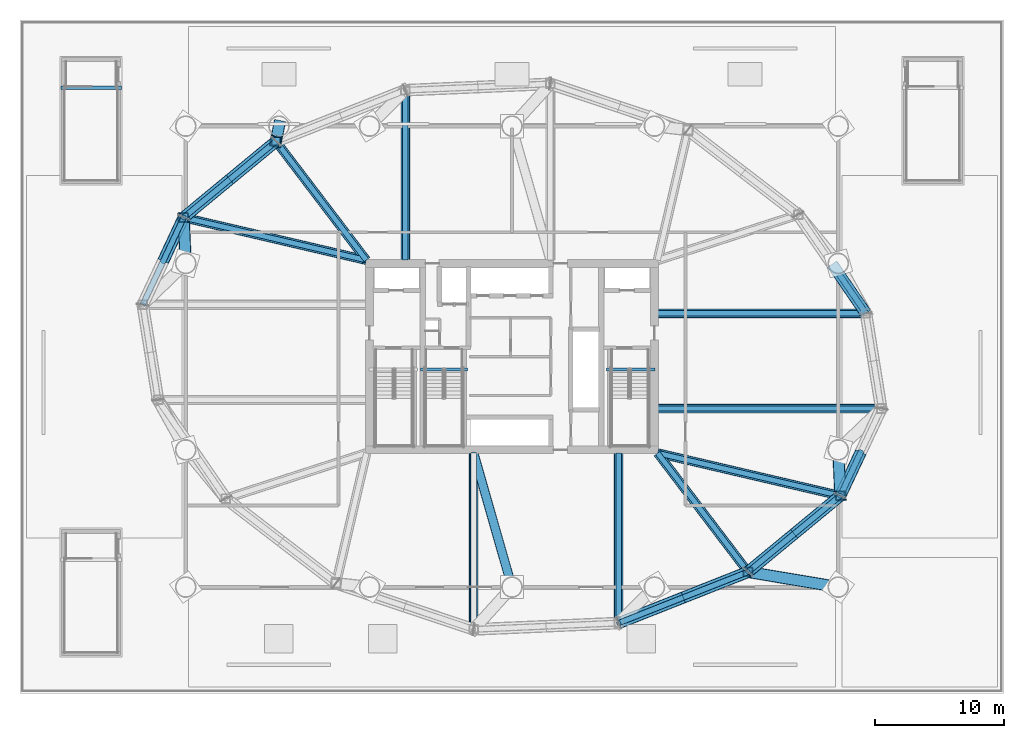
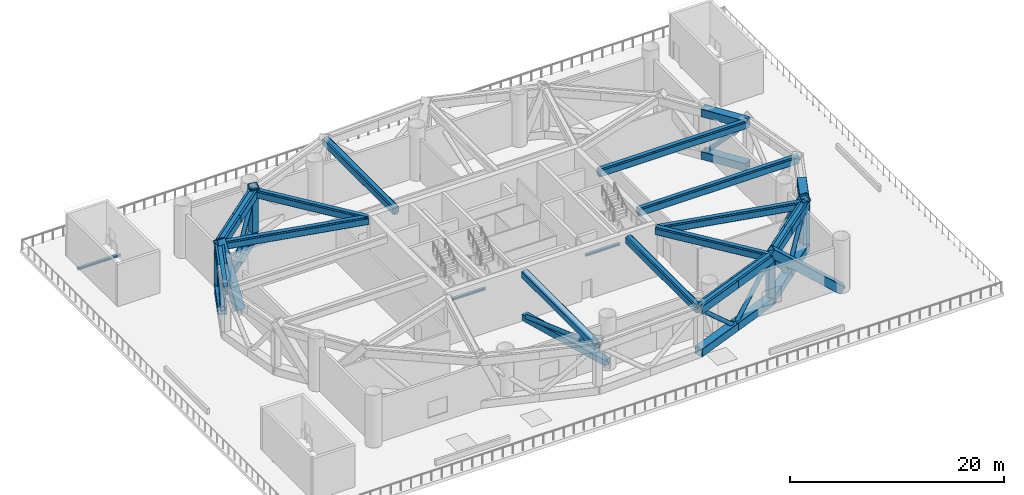
# One storey, part 2 of 14: 46 members, 15 beams.
"""IFC4 building model written with IfcOpenShell, lengths in metres."""

import ifcopenshell
import ifcopenshell.guid

model = None  # the IFC model being written
_history = None  # IfcOwnerHistory: only IFC2X3 demands one
_inside = {}  # id of a spatial element -> (the spatial element, [elements in it])
_under = {}  # id of a project, library or spatial element -> (it, [spatial elements below it])
_declared = {}  # id of a project -> (the project, [libraries it declares])
_typed = {}  # id of a type object -> (the type object, [elements of that type])
_made_of = {}  # id of a material, layer set ... -> (it, [elements and type objects made of it])


def new_model(schema):
    """Start an empty IFC model of exactly this schema.

    Asked for "IFC4X3", IfcOpenShell would pick the latest addendum, in which some entities
    have other attributes; the version numbers below select the first issue.
    IFC2X3 requires an IfcOwnerHistory on every rooted entity: one is made here for all.
    """
    global model, _history
    if schema == "IFC4X3":
        model = ifcopenshell.file(schema_version=(4, 3, 0, 0))
    else:
        model = ifcopenshell.file(schema=schema)
    _inside.clear()
    _under.clear()
    _declared.clear()
    _typed.clear()
    _made_of.clear()
    _history = None
    if model.schema == "IFC2X3":
        org = make("IfcOrganization", Name="unknown")
        user = make(
            "IfcPersonAndOrganization",
            ThePerson=make("IfcPerson", FamilyName="unknown"),
            TheOrganization=org,
        )
        app = make(
            "IfcApplication",
            ApplicationDeveloper=org,
            Version="unknown",
            ApplicationFullName="unknown",
            ApplicationIdentifier="unknown",
        )
        _history = make(
            "IfcOwnerHistory",
            OwningUser=user,
            OwningApplication=app,
            ChangeAction="ADDED",
            CreationDate=0,
        )
    return model


def make(cls, **values):
    """One entity of the class cls with the attributes given. An attribute that is None is left unset."""
    return model.create_entity(
        cls, **{name: value for name, value in values.items() if value is not None}
    )


def rooted(cls, **values):
    """An entity with a GlobalId (a new one), such as an element, a storey or a relation."""
    return make(cls, GlobalId=ifcopenshell.guid.new(), OwnerHistory=_history, **values)


def si_unit(unit_type, name, prefix=None):
    """IfcSIUnit, for example si_unit("LENGTHUNIT", "METRE", prefix="MILLI")."""
    return make("IfcSIUnit", UnitType=unit_type, Prefix=prefix, Name=name)


def assignment(units):
    """IfcUnitAssignment: the units of a project."""
    return None if units is None else make("IfcUnitAssignment", Units=units)


def point(xyz):
    """IfcCartesianPoint."""
    return None if xyz is None else make("IfcCartesianPoint", Coordinates=xyz)


def direction(xyz):
    """IfcDirection."""
    return None if xyz is None else make("IfcDirection", DirectionRatios=xyz)


def frame(location, z_axis=None, x_axis=None):
    """IfcAxis2Placement3D, a coordinate frame: its origin and axes. An axis left out is left unset."""
    return make(
        "IfcAxis2Placement3D",
        Location=point(location),
        Axis=direction(z_axis),
        RefDirection=direction(x_axis),
    )


def frame_2d(location, x_axis=None):
    """IfcAxis2Placement2D, a coordinate frame in the plane: its origin and x axis."""
    return make(
        "IfcAxis2Placement2D", Location=point(location), RefDirection=direction(x_axis)
    )


def origin():
    """The frame at (0, 0, 0) with its axes left unset."""
    return frame((0.0, 0.0, 0.0))


def origin_2d():
    """The frame at (0, 0) in the plane with its x axis left unset."""
    return frame_2d((0.0, 0.0))


def place(relative_to, where):
    """IfcLocalPlacement: puts the frame where relative to a parent placement (None: the world)."""
    return make(
        "IfcLocalPlacement", PlacementRelTo=relative_to, RelativePlacement=where
    )


def context(
    kind, dimensions, precision=None, world=None, true_north=None, identifier=None
):
    """IfcGeometricRepresentationContext, for example the 3D "Model" context."""
    return make(
        "IfcGeometricRepresentationContext",
        ContextIdentifier=identifier,
        ContextType=kind,
        CoordinateSpaceDimension=dimensions,
        Precision=precision,
        WorldCoordinateSystem=world,
        TrueNorth=true_north,
    )


def subcontext(parent, identifier, kind, view, scale=None):
    """IfcGeometricRepresentationSubContext, for example "Body" below "Model"."""
    return make(
        "IfcGeometricRepresentationSubContext",
        ContextIdentifier=identifier,
        ContextType=kind,
        ParentContext=parent,
        TargetScale=scale,
        TargetView=view,
    )


def project(units=None, contexts=None):
    """IfcProject with its units and contexts."""
    return rooted(
        "IfcProject",
        Name="project",
        RepresentationContexts=contexts,
        UnitsInContext=assignment(units),
    )


def spatial(cls, under=None, at=None, **own):
    """A site, building, storey or space (cls), placed at a placement, below another one or the project."""
    s = rooted(cls, ObjectPlacement=at, **own)
    if under is not None:
        _under.setdefault(under.id(), (under, []))[1].append(s)
    return s


def profile(cls, at=None, kind="AREA", **sizes):
    """A parametric profile (cls). Its sizes go by their IFC names, for example OverallWidth=200.0."""
    return make(cls, ProfileType=kind, Position=at, **sizes)


def hollow_rectangle(**sizes):
    """IfcRectangleHollowProfileDef."""
    return profile("IfcRectangleHollowProfileDef", **sizes)


def hollow_circle(**sizes):
    """IfcCircleHollowProfileDef."""
    return profile("IfcCircleHollowProfileDef", **sizes)


def i_section(**sizes):
    """IfcIShapeProfileDef."""
    return profile("IfcIShapeProfileDef", **sizes)


def extrude(swept, where, along, depth):
    """IfcExtrudedAreaSolid: the profile swept, set in the frame where, extruded along a direction by depth."""
    return make(
        "IfcExtrudedAreaSolid",
        SweptArea=swept,
        Position=where,
        ExtrudedDirection=direction(along),
        Depth=depth,
    )


def shape(context_of_items, identifier, shape_type, items):
    """IfcShapeRepresentation: the items that make up one representation, for example the "Body"."""
    return make(
        "IfcShapeRepresentation",
        ContextOfItems=context_of_items,
        RepresentationIdentifier=identifier,
        RepresentationType=shape_type,
        Items=items,
    )


def material(Name=None, Category=None):
    """IfcMaterial."""
    return make("IfcMaterial", Name=Name, Category=Category)


def material_profile(
    of_material, cross_section, Name=None, Category=None, Priority=None
):
    """IfcMaterialProfile: a cross section and its material."""
    return make(
        "IfcMaterialProfile",
        Name=Name,
        Material=of_material,
        Profile=cross_section,
        Priority=Priority,
        Category=Category,
    )


def profile_set(profiles, Name=None, composite=None):
    """IfcMaterialProfileSet."""
    return make(
        "IfcMaterialProfileSet",
        Name=Name,
        MaterialProfiles=profiles,
        CompositeProfile=composite,
    )


def made_of(thing, what):
    """Note that an element or type object is made of a material, layer set ...; save() writes the relation."""
    if what is not None:
        _made_of.setdefault(what.id(), (what, []))[1].append(thing)
    return thing


def type_object(cls, material=None, **own):
    """A type object (cls), such as IfcWallType, which elements share."""
    return made_of(rooted(cls, **own), material)


def element(
    cls,
    number,
    at=None,
    inside=None,
    cuts=None,
    type_object=None,
    material=None,
    context=None,
    identifier="Body",
    shape_type=None,
    held_by="IfcProductDefinitionShape",
    body=None,
    shapes=None,
    **own,
):
    """One element of the class cls, such as IfcWall. Its Tag is "e" and its number.

    at: its placement. inside: the storey or other place that contains it. cuts: it is an
    opening in that element (IfcRelVoidsElement). A single representation is given by context,
    identifier, shape_type and body (its items); several are given by shapes. held_by: the class
    of the entity that holds the representations. save() writes the other relations.
    """
    e = rooted(cls, Tag="e%d" % number, ObjectPlacement=at, **own)
    if body is not None:
        shapes = [shape(context, identifier, shape_type, body)]
    if shapes is not None:
        e.Representation = make(held_by, Representations=shapes)
    if inside is not None:
        _inside.setdefault(inside.id(), (inside, []))[1].append(e)
    if cuts is not None:
        rooted(
            "IfcRelVoidsElement", RelatingBuildingElement=cuts, RelatedOpeningElement=e
        )
    if type_object is not None:
        _typed.setdefault(type_object.id(), (type_object, []))[1].append(e)
    return made_of(e, material)


def aggregate(whole, parts):
    """IfcRelAggregates: a whole, such as a stair, and the parts it consists of."""
    return rooted("IfcRelAggregates", RelatingObject=whole, RelatedObjects=parts)


def save(model, path):
    """Write the relations noted so far, then the file.

    IfcRelAggregates (storeys below a building ...), IfcRelContainedInSpatialStructure (elements
    in a storey), IfcRelDefinesByType, IfcRelAssociatesMaterial and IfcRelDeclares: one each for
    every whole, place, type object, material and project.
    """
    for whole, parts in _under.values():
        aggregate(whole, parts)
    for where, things in _inside.values():
        rooted(
            "IfcRelContainedInSpatialStructure",
            RelatedElements=things,
            RelatingStructure=where,
        )
    for kind, things in _typed.values():
        rooted("IfcRelDefinesByType", RelatedObjects=things, RelatingType=kind)
    for what, things in _made_of.values():
        rooted("IfcRelAssociatesMaterial", RelatedObjects=things, RelatingMaterial=what)
    for by, libraries in _declared.values():
        rooted("IfcRelDeclares", RelatingContext=by, RelatedDefinitions=libraries)
    model.write(path)


model = new_model("IFC4")

# Units and contexts
model_context = context("Model", 3, precision=1e-05, world=origin(), true_north=direction((0.0, 1.0)))
body_context = subcontext(model_context, "Body", "Model", "MODEL_VIEW")
ifc_project = project(units=[si_unit("LENGTHUNIT", "METRE"), si_unit("AREAUNIT", "SQUARE_METRE"), si_unit("VOLUMEUNIT", "CUBIC_METRE"), si_unit("PLANEANGLEUNIT", "RADIAN"), si_unit("MASSUNIT", "GRAM", prefix="KILO")], contexts=[model_context])

# Site, building, storey
site_placement = place(None, origin())
site = spatial("IfcSite", under=ifc_project, at=site_placement, CompositionType="ELEMENT")
building_placement = place(site_placement, origin())
building = spatial("IfcBuilding", under=site, at=building_placement, Name="Bramvorn Convention Spire", CompositionType="ELEMENT")
storey_placement = place(building_placement, frame((0.0, 0.0, 35.39990234375)))
storey = spatial("IfcBuildingStorey", under=building, at=storey_placement, Name="L06", CompositionType="ELEMENT", Elevation=35.39990234375)

# Beams
ifc_material = material(Name="Steel CSA G40.21 Grade 350 (350W)", Category="steel")
ifc_material_profile_1 = material_profile(ifc_material, i_section(OverallWidth=0.25390625, OverallDepth=0.2529296875, WebThickness=0.008544921875, FlangeThickness=0.01416015625, FilletRadius=0.011962890625, at=origin_2d()))
ifc_profile_set_1 = profile_set([ifc_material_profile_1], Name="Steel CSA G40.21 Grade 350 (350W) - W250X73")
beam_type_1 = type_object("IfcBeamType", Name="BM-W250X73", PredefinedType="BEAM", material=ifc_profile_set_1)
beam_1_placement = place(storey_placement, frame((45.31005859375, 25.010009765625, -0.12646484375), z_axis=(1.0, 0.0, 0.0), x_axis=(0.0, 1.0, 0.0)))
element("IfcBeam", 1, at=beam_1_placement, inside=storey, type_object=beam_type_1, Name="L06 ST2 stair arrival header beam", PredefinedType="BEAM", context=body_context, shape_type="SweptSolid", body=[
    extrude(i_section(OverallWidth=0.25390625, OverallDepth=0.2529296875, WebThickness=0.008544921875, FlangeThickness=0.01416015625, FilletRadius=0.011962890625, at=origin_2d()), origin(), (0.0, 0.0, 1.0), 3.739990234375),
])
beam_2_placement = place(storey_placement, frame((30.949951171875, 25.010009765625, -0.12646484375), z_axis=(1.0, 0.0, 0.0), x_axis=(0.0, 1.0, 0.0)))
element("IfcBeam", 2, at=beam_2_placement, inside=storey, type_object=beam_type_1, Name="L06 ST3 stair arrival header beam", PredefinedType="BEAM", context=body_context, shape_type="SweptSolid", body=[
    extrude(i_section(OverallWidth=0.25390625, OverallDepth=0.2529296875, WebThickness=0.008544921875, FlangeThickness=0.01416015625, FilletRadius=0.011962890625, at=origin_2d()), origin(), (0.0, 0.0, 1.0), 3.610107421875),
])
beam_3_placement = place(storey_placement, frame((3.14990234375, 46.760009765625, -0.12646484375), z_axis=(1.0, 0.0, 0.0), x_axis=(0.0, 1.0, 0.0)))
element("IfcBeam", 3, at=beam_3_placement, inside=storey, type_object=beam_type_1, Name="L06 ST6 stair arrival header beam", PredefinedType="BEAM", context=body_context, shape_type="SweptSolid", body=[
    extrude(i_section(OverallWidth=0.25390625, OverallDepth=0.2529296875, WebThickness=0.008544921875, FlangeThickness=0.01416015625, FilletRadius=0.011962890625, at=origin_2d()), origin(), (0.0, 0.0, 1.0), 4.68017578125),
])
ifc_material_profile_2 = material_profile(ifc_material, i_section(OverallWidth=0.41796875, OverallDepth=0.912109375, WebThickness=0.019287109375, FlangeThickness=0.031982421875, FilletRadius=0.02392578125, at=origin_2d()))
ifc_profile_set_2 = profile_set([ifc_material_profile_2], Name="Steel CSA G40.21 Grade 350 (350W) - W920X342")
beam_type_2 = type_object("IfcBeamType", Name="BM-W920X342", PredefinedType="BEAM", material=ifc_profile_set_2)
beam_4_placement = place(storey_placement, frame((49.25, 21.99169921875, 5.294189453125), z_axis=(1.0, 0.0, 0.0), x_axis=(0.0, 1.0, 0.0)))
element("IfcBeam", 4, at=beam_4_placement, inside=storey, type_object=beam_type_2, Name="L06 mega-column radial transfer girder MC01", PredefinedType="BEAM", context=body_context, shape_type="SweptSolid", body=[
    extrude(i_section(OverallWidth=0.41796875, OverallDepth=0.912109375, WebThickness=0.019287109375, FlangeThickness=0.031982421875, FilletRadius=0.02392578125, at=origin_2d()), origin(), (0.0, 0.0, 1.0), 17.269775390625),
])
beam_5_placement = place(storey_placement, frame((49.25, 29.340087890625, 5.294189453125), z_axis=(1.0, 0.0, 0.0), x_axis=(0.0, 1.0, 0.0)))
element("IfcBeam", 5, at=beam_5_placement, inside=storey, type_object=beam_type_2, Name="L06 mega-column radial transfer girder MC02", PredefinedType="BEAM", context=body_context, shape_type="SweptSolid", body=[
    extrude(i_section(OverallWidth=0.41796875, OverallDepth=0.912109375, WebThickness=0.019287109375, FlangeThickness=0.031982421875, FilletRadius=0.02392578125, at=origin_2d()), origin(), (0.0, 0.0, 1.0), 16.088623046875),
])
beam_6_placement = place(storey_placement, frame((29.76220703125, 33.449951171875, 5.294189453125), z_axis=(0.0, 1.0, 0.0), x_axis=(-1.0, 0.0, 0.0)))
element("IfcBeam", 6, at=beam_6_placement, inside=storey, type_object=beam_type_2, Name="L06 mega-column radial transfer girder MC06", PredefinedType="BEAM", context=body_context, shape_type="SweptSolid", body=[
    extrude(i_section(OverallWidth=0.41796875, OverallDepth=0.912109375, WebThickness=0.019287109375, FlangeThickness=0.031982421875, FilletRadius=0.02392578125, at=origin_2d()), origin(), (0.0, 0.0, 1.0), 13.126708984375),
])
beam_7_placement = place(storey_placement, frame((19.772216796875, 42.628662109375, 5.294189453125), z_axis=(-0.771417680101, -0.636329130896, 0.0), x_axis=(0.636329130896, -0.771417680101, 0.0)))
element("IfcBeam", 7, at=beam_7_placement, inside=storey, type_object=beam_type_2, Name="L06 mega-column transfer ring girder 07", PredefinedType="BEAM", context=body_context, shape_type="SweptSolid", body=[
    extrude(i_section(OverallWidth=0.41796875, OverallDepth=0.912109375, WebThickness=0.019287109375, FlangeThickness=0.031982421875, FilletRadius=0.02392578125, at=origin_2d()), origin(), (0.0, 0.0, 1.0), 9.244140625),
])
beam_8_placement = place(storey_placement, frame((26.75, 33.449951171875, 5.294189453125), z_axis=(-0.605191175112, 0.796080172826, 0.0), x_axis=(-0.796080172826, -0.605191175112, 0.0)))
element("IfcBeam", 8, at=beam_8_placement, inside=storey, type_object=beam_type_2, Name="L06 mega-column radial transfer girder MC07", PredefinedType="BEAM", context=body_context, shape_type="SweptSolid", body=[
    extrude(i_section(OverallWidth=0.41796875, OverallDepth=0.912109375, WebThickness=0.019287109375, FlangeThickness=0.031982421875, FilletRadius=0.02392578125, at=origin_2d()), origin(), (0.0, 0.0, 1.0), 11.52978515625),
])
beam_9_placement = place(storey_placement, frame((12.64111328125, 36.746337890625, 5.294189453125), z_axis=(-0.424701955478, -0.9053332254, 0.0), x_axis=(0.9053332254, -0.424701955478, 0.0)))
element("IfcBeam", 9, at=beam_9_placement, inside=storey, type_object=beam_type_2, Name="L06 mega-column transfer ring girder 08", PredefinedType="BEAM", context=body_context, shape_type="SweptSolid", body=[
    extrude(i_section(OverallWidth=0.41796875, OverallDepth=0.912109375, WebThickness=0.019287109375, FlangeThickness=0.031982421875, FilletRadius=0.02392578125, at=origin_2d()), origin(), (0.0, 0.0, 1.0), 7.442626953125),
])
beam_10_placement = place(storey_placement, frame((26.75, 33.449951171875, 5.294189453125), z_axis=(-0.973775294862, 0.227511923018, 0.0), x_axis=(-0.227511923018, -0.973775294862, 0.0)))
element("IfcBeam", 10, at=beam_10_placement, inside=storey, type_object=beam_type_2, Name="L06 mega-column radial transfer girder MC08", PredefinedType="BEAM", context=body_context, shape_type="SweptSolid", body=[
    extrude(i_section(OverallWidth=0.41796875, OverallDepth=0.912109375, WebThickness=0.019287109375, FlangeThickness=0.031982421875, FilletRadius=0.02392578125, at=origin_2d()), origin(), (0.0, 0.0, 1.0), 14.48876953125),
])
beam_11_placement = place(storey_placement, frame((46.23779296875, 5.42333984375, 5.294189453125), z_axis=(0.93000950609, 0.367535465749, 0.0), x_axis=(-0.367535465749, 0.93000950609, 0.0)))
element("IfcBeam", 11, at=beam_11_placement, inside=storey, type_object=beam_type_2, Name="L06 mega-column transfer ring girder 14", PredefinedType="BEAM", context=body_context, shape_type="SweptSolid", body=[
    extrude(i_section(OverallWidth=0.41796875, OverallDepth=0.912109375, WebThickness=0.019287109375, FlangeThickness=0.031982421875, FilletRadius=0.02392578125, at=origin_2d()), origin(), (0.0, 0.0, 1.0), 10.74169921875),
])
beam_12_placement = place(storey_placement, frame((46.23779296875, 18.550048828125, 5.294189453125), z_axis=(0.0, -1.0, 0.0), x_axis=(1.0, 0.0, 0.0)))
element("IfcBeam", 12, at=beam_12_placement, inside=storey, type_object=beam_type_2, Name="L06 mega-column radial transfer girder MC14", PredefinedType="BEAM", context=body_context, shape_type="SweptSolid", body=[
    extrude(i_section(OverallWidth=0.41796875, OverallDepth=0.912109375, WebThickness=0.019287109375, FlangeThickness=0.031982421875, FilletRadius=0.02392578125, at=origin_2d()), origin(), (0.0, 0.0, 1.0), 13.126708984375),
])
beam_13_placement = place(storey_placement, frame((56.227783203125, 9.371337890625, 5.294189453125), z_axis=(0.771417680101, 0.636329130896, 0.0), x_axis=(-0.636329130896, 0.771417680101, 0.0)))
element("IfcBeam", 13, at=beam_13_placement, inside=storey, type_object=beam_type_2, Name="L06 mega-column transfer ring girder 15", PredefinedType="BEAM", context=body_context, shape_type="SweptSolid", body=[
    extrude(i_section(OverallWidth=0.41796875, OverallDepth=0.912109375, WebThickness=0.019287109375, FlangeThickness=0.031982421875, FilletRadius=0.02392578125, at=origin_2d()), origin(), (0.0, 0.0, 1.0), 9.244140625),
])
beam_14_placement = place(storey_placement, frame((49.25, 18.550048828125, 5.294189453125), z_axis=(0.605191175112, -0.796080172826, 0.0), x_axis=(0.796080172826, 0.605191175112, 0.0)))
element("IfcBeam", 14, at=beam_14_placement, inside=storey, type_object=beam_type_2, Name="L06 mega-column radial transfer girder MC15", PredefinedType="BEAM", context=body_context, shape_type="SweptSolid", body=[
    extrude(i_section(OverallWidth=0.41796875, OverallDepth=0.912109375, WebThickness=0.019287109375, FlangeThickness=0.031982421875, FilletRadius=0.02392578125, at=origin_2d()), origin(), (0.0, 0.0, 1.0), 11.52978515625),
])
beam_15_placement = place(storey_placement, frame((49.25, 18.550048828125, 5.294189453125), z_axis=(0.973775294862, -0.227511923018, 0.0), x_axis=(0.227511923018, 0.973775294862, 0.0)))
element("IfcBeam", 15, at=beam_15_placement, inside=storey, type_object=beam_type_2, Name="L06 mega-column radial transfer girder MC16", PredefinedType="BEAM", context=body_context, shape_type="SweptSolid", body=[
    extrude(i_section(OverallWidth=0.41796875, OverallDepth=0.912109375, WebThickness=0.019287109375, FlangeThickness=0.031982421875, FilletRadius=0.02392578125, at=origin_2d()), origin(), (0.0, 0.0, 1.0), 14.48876953125),
])

# Members
ifc_material_profile_3 = material_profile(ifc_material, hollow_rectangle(XDim=0.699951171875, YDim=0.699951171875, WallThickness=0.034912109375, InnerFilletRadius=0.0009765625, OuterFilletRadius=0.034912109375, at=origin_2d()))
ifc_profile_set_3 = profile_set([ifc_material_profile_3], Name="Steel CSA G40.21 Grade 350 (350W) - BOX700X700X35")
member_type_1 = type_object("IfcMemberType", Name="MBR-BOX700X700X35", PredefinedType="CHORD", material=ifc_profile_set_3)
member_1_placement = place(storey_placement, frame((49.25, 21.99169921875, 5.300048828125), z_axis=(1.0, 0.0, 0.0), x_axis=(0.0, 1.0, 0.0)))
element("IfcMember", 16, at=member_1_placement, inside=storey, type_object=member_type_1, Name="L06 radial transfer top chord MC01", PredefinedType="CHORD", context=body_context, shape_type="SweptSolid", body=[
    extrude(hollow_rectangle(XDim=0.699951171875, YDim=0.699951171875, WallThickness=0.034912109375, InnerFilletRadius=0.0009765625, OuterFilletRadius=0.034912109375, at=origin_2d()), origin(), (0.0, 0.0, 1.0), 17.269775390625),
])
member_2_placement = place(storey_placement, frame((49.25, 29.340087890625, 5.300048828125), z_axis=(1.0, 0.0, 0.0), x_axis=(0.0, 1.0, 0.0)))
element("IfcMember", 17, at=member_2_placement, inside=storey, type_object=member_type_1, Name="L06 radial transfer top chord MC02", PredefinedType="CHORD", context=body_context, shape_type="SweptSolid", body=[
    extrude(hollow_rectangle(XDim=0.699951171875, YDim=0.699951171875, WallThickness=0.034912109375, InnerFilletRadius=0.0009765625, OuterFilletRadius=0.034912109375, at=origin_2d()), origin(), (0.0, 0.0, 1.0), 16.088623046875),
])
member_3_placement = place(storey_placement, frame((29.76220703125, 33.449951171875, 5.300048828125), z_axis=(0.0, 1.0, 0.0), x_axis=(-1.0, 0.0, 0.0)))
element("IfcMember", 18, at=member_3_placement, inside=storey, type_object=member_type_1, Name="L06 radial transfer top chord MC06", PredefinedType="CHORD", context=body_context, shape_type="SweptSolid", body=[
    extrude(hollow_rectangle(XDim=0.699951171875, YDim=0.699951171875, WallThickness=0.034912109375, InnerFilletRadius=0.0009765625, OuterFilletRadius=0.034912109375, at=origin_2d()), origin(), (0.0, 0.0, 1.0), 13.126708984375),
])
member_4_placement = place(storey_placement, frame((19.772216796875, 42.628662109375, 0.4501953125), z_axis=(0.0, 0.0, 1.0), x_axis=(1.0, 0.0, 0.0)))
element("IfcMember", 19, at=member_4_placement, inside=storey, type_object=member_type_1, Name="L06 transfer truss node post MC07", PredefinedType="CHORD", context=body_context, shape_type="SweptSolid", body=[
    extrude(hollow_rectangle(XDim=0.699951171875, YDim=0.699951171875, WallThickness=0.034912109375, InnerFilletRadius=0.0009765625, OuterFilletRadius=0.034912109375, at=origin_2d()), origin(), (0.0, 0.0, 1.0), 4.849853515625),
])
member_5_placement = place(storey_placement, frame((26.75, 33.449951171875, 5.300048828125), z_axis=(-0.605191175112, 0.796080172826, 0.0), x_axis=(-0.796080172826, -0.605191175112, 0.0)))
element("IfcMember", 20, at=member_5_placement, inside=storey, type_object=member_type_1, Name="L06 radial transfer top chord MC07", PredefinedType="CHORD", context=body_context, shape_type="SweptSolid", body=[
    extrude(hollow_rectangle(XDim=0.699951171875, YDim=0.699951171875, WallThickness=0.034912109375, InnerFilletRadius=0.0009765625, OuterFilletRadius=0.034912109375, at=origin_2d()), origin(), (0.0, 0.0, 1.0), 11.52978515625),
])
member_6_placement = place(storey_placement, frame((12.64111328125, 36.746337890625, 0.4501953125), z_axis=(0.0, 0.0, 1.0), x_axis=(1.0, 0.0, 0.0)))
element("IfcMember", 21, at=member_6_placement, inside=storey, type_object=member_type_1, Name="L06 transfer truss node post MC08", PredefinedType="CHORD", context=body_context, shape_type="SweptSolid", body=[
    extrude(hollow_rectangle(XDim=0.699951171875, YDim=0.699951171875, WallThickness=0.034912109375, InnerFilletRadius=0.0009765625, OuterFilletRadius=0.034912109375, at=origin_2d()), origin(), (0.0, 0.0, 1.0), 4.849853515625),
])
member_7_placement = place(storey_placement, frame((26.75, 33.449951171875, 5.300048828125), z_axis=(-0.973775294862, 0.227511923018, 0.0), x_axis=(-0.227511923018, -0.973775294862, 0.0)))
element("IfcMember", 22, at=member_7_placement, inside=storey, type_object=member_type_1, Name="L06 radial transfer top chord MC08", PredefinedType="CHORD", context=body_context, shape_type="SweptSolid", body=[
    extrude(hollow_rectangle(XDim=0.699951171875, YDim=0.699951171875, WallThickness=0.034912109375, InnerFilletRadius=0.0009765625, OuterFilletRadius=0.034912109375, at=origin_2d()), origin(), (0.0, 0.0, 1.0), 14.48876953125),
])
member_8_placement = place(storey_placement, frame((35.0390625, 18.550048828125, 5.300048828125), z_axis=(0.0, -1.0, 0.0), x_axis=(1.0, 0.0, 0.0)))
element("IfcMember", 23, at=member_8_placement, inside=storey, type_object=member_type_1, Name="L06 radial transfer top chord MC13", PredefinedType="CHORD", context=body_context, shape_type="SweptSolid", body=[
    extrude(hollow_rectangle(XDim=0.699951171875, YDim=0.699951171875, WallThickness=0.034912109375, InnerFilletRadius=0.0009765625, OuterFilletRadius=0.034912109375, at=origin_2d()), origin(), (0.0, 0.0, 1.0), 13.618896484375),
])
member_9_placement = place(storey_placement, frame((35.0390625, 18.550048828125, 0.4501953125), z_axis=(0.275044601607, -0.961431467722, 0.0), x_axis=(0.961431467722, 0.275044601607, 0.0)))
element("IfcMember", 24, at=member_9_placement, inside=storey, type_object=member_type_1, Name="L06 radial transfer bottom chord MC13", PredefinedType="CHORD", context=body_context, shape_type="SweptSolid", body=[
    extrude(hollow_rectangle(XDim=0.699951171875, YDim=0.699951171875, WallThickness=0.034912109375, InnerFilletRadius=0.0009765625, OuterFilletRadius=0.034912109375, at=origin_2d()), origin(), (0.0, 0.0, 1.0), 10.765380859375),
])
member_10_placement = place(storey_placement, frame((46.23779296875, 18.550048828125, 5.300048828125), z_axis=(0.0, -1.0, 0.0), x_axis=(1.0, 0.0, 0.0)))
element("IfcMember", 25, at=member_10_placement, inside=storey, type_object=member_type_1, Name="L06 radial transfer top chord MC14", PredefinedType="CHORD", context=body_context, shape_type="SweptSolid", body=[
    extrude(hollow_rectangle(XDim=0.699951171875, YDim=0.699951171875, WallThickness=0.034912109375, InnerFilletRadius=0.0009765625, OuterFilletRadius=0.034912109375, at=origin_2d()), origin(), (0.0, 0.0, 1.0), 13.126708984375),
])
member_11_placement = place(storey_placement, frame((56.227783203125, 9.371337890625, 0.4501953125), z_axis=(0.0, 0.0, 1.0), x_axis=(1.0, 0.0, 0.0)))
element("IfcMember", 26, at=member_11_placement, inside=storey, type_object=member_type_1, Name="L06 transfer truss node post MC15", PredefinedType="CHORD", context=body_context, shape_type="SweptSolid", body=[
    extrude(hollow_rectangle(XDim=0.699951171875, YDim=0.699951171875, WallThickness=0.034912109375, InnerFilletRadius=0.0009765625, OuterFilletRadius=0.034912109375, at=origin_2d()), origin(), (0.0, 0.0, 1.0), 4.849853515625),
])
member_12_placement = place(storey_placement, frame((49.25, 18.550048828125, 5.300048828125), z_axis=(0.605191175112, -0.796080172826, 0.0), x_axis=(0.796080172826, 0.605191175112, 0.0)))
element("IfcMember", 27, at=member_12_placement, inside=storey, type_object=member_type_1, Name="L06 radial transfer top chord MC15", PredefinedType="CHORD", context=body_context, shape_type="SweptSolid", body=[
    extrude(hollow_rectangle(XDim=0.699951171875, YDim=0.699951171875, WallThickness=0.034912109375, InnerFilletRadius=0.0009765625, OuterFilletRadius=0.034912109375, at=origin_2d()), origin(), (0.0, 0.0, 1.0), 11.52978515625),
])
member_13_placement = place(storey_placement, frame((63.35888671875, 15.253662109375, 0.4501953125), z_axis=(0.0, 0.0, 1.0), x_axis=(1.0, 0.0, 0.0)))
element("IfcMember", 28, at=member_13_placement, inside=storey, type_object=member_type_1, Name="L06 transfer truss node post MC16", PredefinedType="CHORD", context=body_context, shape_type="SweptSolid", body=[
    extrude(hollow_rectangle(XDim=0.699951171875, YDim=0.699951171875, WallThickness=0.034912109375, InnerFilletRadius=0.0009765625, OuterFilletRadius=0.034912109375, at=origin_2d()), origin(), (0.0, 0.0, 1.0), 4.849853515625),
])
member_14_placement = place(storey_placement, frame((49.25, 18.550048828125, 5.300048828125), z_axis=(0.973775294862, -0.227511923018, 0.0), x_axis=(0.227511923018, 0.973775294862, 0.0)))
element("IfcMember", 29, at=member_14_placement, inside=storey, type_object=member_type_1, Name="L06 radial transfer top chord MC16", PredefinedType="CHORD", context=body_context, shape_type="SweptSolid", body=[
    extrude(hollow_rectangle(XDim=0.699951171875, YDim=0.699951171875, WallThickness=0.034912109375, InnerFilletRadius=0.0009765625, OuterFilletRadius=0.034912109375, at=origin_2d()), origin(), (0.0, 0.0, 1.0), 14.48876953125),
])
ifc_material_profile_4 = material_profile(ifc_material, hollow_rectangle(XDim=0.89990234375, YDim=0.89990234375, WallThickness=0.044921875, InnerFilletRadius=0.0009765625, OuterFilletRadius=0.044921875, at=origin_2d()))
ifc_profile_set_4 = profile_set([ifc_material_profile_4], Name="Steel CSA G40.21 Grade 350 (350W) - BOX900X900X45")
member_type_2 = type_object("IfcMemberType", Name="MBR-BOX900X900X45", PredefinedType="CHORD", material=ifc_profile_set_4)
for number, where, z_axis, x_axis, name in (
    (30, (65.338623046875, 29.340087890625, 5.300048828125), (-0.566129730789, 0.824316157743, 0.0), (-0.824316157743, -0.566129730789, 0.0), "L06 Warren transfer ring top chord 2.1"),
    (31, (65.338623046875, 29.340087890625, 0.4501953125), (-0.566129730789, 0.824316157743, 0.0), (-0.824316157743, -0.566129730789, 0.0), "L06 Warren transfer ring bottom chord 2.1"),
    (32, (19.772216796875, 42.628662109375, 5.300048828125), (-0.771428373684, -0.636316166913, 0.0), (0.636316166913, -0.771428373684, 0.0), "L06 Warren transfer ring top chord 7.1"),
    (33, (19.772216796875, 42.628662109375, 0.4501953125), (-0.771428373684, -0.636316166913, 0.0), (0.636316166913, -0.771428373684, 0.0), "L06 Warren transfer ring bottom chord 7.1"),
    (34, (16.20654296875, 39.6875, 5.300048828125), (-0.771406985865, -0.636342095228, 0.0), (0.636342095228, -0.771406985865, 0.0), "L06 Warren transfer ring top chord 7.2"),
    (35, (16.20654296875, 39.6875, 0.4501953125), (-0.771406985865, -0.636342095228, 0.0), (0.636342095228, -0.771406985865, 0.0), "L06 Warren transfer ring bottom chord 7.2"),
):
    element("IfcMember", number, at=place(storey_placement, frame(where, z_axis=z_axis, x_axis=x_axis)), inside=storey, type_object=member_type_2, Name=name, PredefinedType="CHORD", context=body_context, shape_type="SweptSolid", body=[
        extrude(hollow_rectangle(XDim=0.89990234375, YDim=0.89990234375, WallThickness=0.044921875, InnerFilletRadius=0.0009765625, OuterFilletRadius=0.044921875, at=origin_2d()), origin(), (0.0, 0.0, 1.0), 4.6220703125),
    ])
member_15_placement = place(storey_placement, frame((20.0, 43.800048828125, 0.0), z_axis=(-0.037234575563, -0.191480700483, 0.98078984891), x_axis=(0.981613260067, -0.190880611013, 0.0)))
element("IfcMember", 36, at=member_15_placement, inside=storey, type_object=member_type_2, Name="L06 radial transfer strut to MC07", PredefinedType="CHORD", context=body_context, shape_type="SweptSolid", body=[
    extrude(hollow_rectangle(XDim=0.89990234375, YDim=0.89990234375, WallThickness=0.044921875, InnerFilletRadius=0.0009765625, OuterFilletRadius=0.044921875, at=origin_2d()), origin(), (0.0, 0.0, 1.0), 6.117431640625),
])
for number, where, z_axis, x_axis, name in (
    (37, (12.64111328125, 36.746337890625, 5.300048828125), (-0.424662456643, -0.905351753695, 0.0), (0.905351753695, -0.424662456643, 0.0), "L06 Warren transfer ring top chord 8.1"),
    (38, (12.64111328125, 36.746337890625, 0.4501953125), (-0.424662456643, -0.905351753695, 0.0), (0.905351753695, -0.424662456643, 0.0), "L06 Warren transfer ring bottom chord 8.1"),
):
    element("IfcMember", number, at=place(storey_placement, frame(where, z_axis=z_axis, x_axis=x_axis)), inside=storey, type_object=member_type_2, Name=name, PredefinedType="CHORD", context=body_context, shape_type="SweptSolid", body=[
        extrude(hollow_rectangle(XDim=0.89990234375, YDim=0.89990234375, WallThickness=0.044921875, InnerFilletRadius=0.0009765625, OuterFilletRadius=0.044921875, at=origin_2d()), origin(), (0.0, 0.0, 1.0), 3.721435546875),
    ])
member_16_placement = place(storey_placement, frame((12.800048828125, 33.199951171875, 0.0), z_axis=(-0.022797826132, 0.508696194157, 0.860644201267), x_axis=(-0.998997264719, -0.04477125288, 0.0)))
element("IfcMember", 39, at=member_16_placement, inside=storey, type_object=member_type_2, Name="L06 radial transfer strut to MC08", PredefinedType="CHORD", context=body_context, shape_type="SweptSolid", body=[
    extrude(hollow_rectangle(XDim=0.89990234375, YDim=0.89990234375, WallThickness=0.044921875, InnerFilletRadius=0.0009765625, OuterFilletRadius=0.044921875, at=origin_2d()), origin(), (0.0, 0.0, 1.0), 6.971435546875),
])
for number, where, z_axis, x_axis, name in (
    (40, (46.23779296875, 5.42333984375, 5.300048828125), (0.930014204705, 0.367523576179, 0.0), (-0.367523576179, 0.930014204705, 0.0), "L06 Warren transfer ring top chord 14.1"),
    (41, (46.23779296875, 5.42333984375, 0.4501953125), (0.930014204705, 0.367523576179, 0.0), (-0.367523576179, 0.930014204705, 0.0), "L06 Warren transfer ring bottom chord 14.1"),
):
    element("IfcMember", number, at=place(storey_placement, frame(where, z_axis=z_axis, x_axis=x_axis)), inside=storey, type_object=member_type_2, Name=name, PredefinedType="CHORD", context=body_context, shape_type="SweptSolid", body=[
        extrude(hollow_rectangle(XDim=0.89990234375, YDim=0.89990234375, WallThickness=0.044921875, InnerFilletRadius=0.0009765625, OuterFilletRadius=0.044921875, at=origin_2d()), origin(), (0.0, 0.0, 1.0), 5.370849609375),
    ])
for number, where, z_axis, x_axis, name in (
    (42, (51.232666015625, 7.397216796875, 5.300048828125), (0.930004807599, 0.367547354558, 0.0), (-0.367547354558, 0.930004807599, 0.0), "L06 Warren transfer ring top chord 14.2"),
    (43, (51.232666015625, 7.397216796875, 0.4501953125), (0.930004807599, 0.367547354558, 0.0), (-0.367547354558, 0.930004807599, 0.0), "L06 Warren transfer ring bottom chord 14.2"),
):
    element("IfcMember", number, at=place(storey_placement, frame(where, z_axis=z_axis, x_axis=x_axis)), inside=storey, type_object=member_type_2, Name=name, PredefinedType="CHORD", context=body_context, shape_type="SweptSolid", body=[
        extrude(hollow_rectangle(XDim=0.89990234375, YDim=0.89990234375, WallThickness=0.044921875, InnerFilletRadius=0.0009765625, OuterFilletRadius=0.044921875, at=origin_2d()), origin(), (0.0, 0.0, 1.0), 5.37109375),
    ])
for number, where, z_axis, x_axis, name in (
    (44, (56.227783203125, 9.371337890625, 5.300048828125), (0.771428373684, 0.636316166913, 0.0), (-0.636316166913, 0.771428373684, 0.0), "L06 Warren transfer ring top chord 15.1"),
    (45, (56.227783203125, 9.371337890625, 0.4501953125), (0.771428373684, 0.636316166913, 0.0), (-0.636316166913, 0.771428373684, 0.0), "L06 Warren transfer ring bottom chord 15.1"),
    (46, (59.79345703125, 12.3125, 5.300048828125), (0.771406985865, 0.636342095228, 0.0), (-0.636342095228, 0.771406985865, 0.0), "L06 Warren transfer ring top chord 15.2"),
    (47, (59.79345703125, 12.3125, 0.4501953125), (0.771406985865, 0.636342095228, 0.0), (-0.636342095228, 0.771406985865, 0.0), "L06 Warren transfer ring bottom chord 15.2"),
):
    element("IfcMember", number, at=place(storey_placement, frame(where, z_axis=z_axis, x_axis=x_axis)), inside=storey, type_object=member_type_2, Name=name, PredefinedType="CHORD", context=body_context, shape_type="SweptSolid", body=[
        extrude(hollow_rectangle(XDim=0.89990234375, YDim=0.89990234375, WallThickness=0.044921875, InnerFilletRadius=0.0009765625, OuterFilletRadius=0.044921875, at=origin_2d()), origin(), (0.0, 0.0, 1.0), 4.6220703125),
    ])
member_17_placement = place(storey_placement, frame((63.199951171875, 8.199951171875, 0.0), z_axis=(-0.751901333143, 0.126326164172, 0.647059568713), x_axis=(-0.165686815147, -0.986178421629, 0.0)))
element("IfcMember", 48, at=member_17_placement, inside=storey, type_object=member_type_2, Name="L06 radial transfer strut to MC15", PredefinedType="CHORD", context=body_context, shape_type="SweptSolid", body=[
    extrude(hollow_rectangle(XDim=0.89990234375, YDim=0.89990234375, WallThickness=0.044921875, InnerFilletRadius=0.0009765625, OuterFilletRadius=0.044921875, at=origin_2d()), origin(), (0.0, 0.0, 1.0), 9.272705078125),
])
for number, where, z_axis, x_axis, name in (
    (49, (63.35888671875, 15.253662109375, 5.300048828125), (0.424662456643, 0.905351753695, 0.0), (-0.905351753695, 0.424662456643, 0.0), "L06 Warren transfer ring top chord 16.1"),
    (50, (63.35888671875, 15.253662109375, 0.4501953125), (0.424662456643, 0.905351753695, 0.0), (-0.905351753695, 0.424662456643, 0.0), "L06 Warren transfer ring bottom chord 16.1"),
):
    element("IfcMember", number, at=place(storey_placement, frame(where, z_axis=z_axis, x_axis=x_axis)), inside=storey, type_object=member_type_2, Name=name, PredefinedType="CHORD", context=body_context, shape_type="SweptSolid", body=[
        extrude(hollow_rectangle(XDim=0.89990234375, YDim=0.89990234375, WallThickness=0.044921875, InnerFilletRadius=0.0009765625, OuterFilletRadius=0.044921875, at=origin_2d()), origin(), (0.0, 0.0, 1.0), 3.721435546875),
    ])
member_18_placement = place(storey_placement, frame((63.199951171875, 18.800048828125, 0.0), z_axis=(0.022797826132, -0.508696194157, 0.860644201267), x_axis=(0.998997264719, 0.04477125288, 0.0)))
element("IfcMember", 51, at=member_18_placement, inside=storey, type_object=member_type_2, Name="L06 radial transfer strut to MC16", PredefinedType="CHORD", context=body_context, shape_type="SweptSolid", body=[
    extrude(hollow_rectangle(XDim=0.89990234375, YDim=0.89990234375, WallThickness=0.044921875, InnerFilletRadius=0.0009765625, OuterFilletRadius=0.044921875, at=origin_2d()), origin(), (0.0, 0.0, 1.0), 6.971435546875),
])
ifc_material_profile_5 = material_profile(ifc_material, hollow_circle(Radius=0.228515625, WallThickness=0.01904296875, at=origin_2d()))
ifc_profile_set_5 = profile_set([ifc_material_profile_5], Name="Steel CSA G40.21 Grade 350 (350W) - CHS457X19")
member_type_3 = type_object("IfcMemberType", Name="MBR-CHS457X19", PredefinedType="BRACE", material=ifc_profile_set_5)
for number, where, z_axis, x_axis, name in (
    (52, (65.338623046875, 29.340087890625, 5.300048828125), (-0.390575003953, 0.568698778848, -0.723901143267), (-0.824316157743, -0.566129730789, 0.0), "L06 Warren transfer diagonal 2A"),
    (53, (19.772216796875, 42.628662109375, 5.300048828125), (-0.532216542274, -0.439001210871, -0.72389466705), (0.636316166913, -0.771428373684, 0.0), "L06 Warren transfer diagonal 7A"),
):
    element("IfcMember", number, at=place(storey_placement, frame(where, z_axis=z_axis, x_axis=x_axis)), inside=storey, type_object=member_type_3, Name=name, PredefinedType="BRACE", context=body_context, shape_type="SweptSolid", body=[
        extrude(hollow_circle(Radius=0.228515625, WallThickness=0.01904296875, at=origin_2d()), origin(), (0.0, 0.0, 1.0), 6.69970703125),
    ])
member_19_placement = place(storey_placement, frame((16.20654296875, 39.6875, 0.4501953125), z_axis=(-0.532190422798, -0.439009724969, 0.723908706443), x_axis=(0.636342095228, -0.771406985865, 0.0)))
element("IfcMember", 54, at=member_19_placement, inside=storey, type_object=member_type_3, Name="L06 Warren transfer diagonal 7B", PredefinedType="BRACE", context=body_context, shape_type="SweptSolid", body=[
    extrude(hollow_circle(Radius=0.228515625, WallThickness=0.01904296875, at=origin_2d()), origin(), (0.0, 0.0, 1.0), 6.699462890625),
])
member_20_placement = place(storey_placement, frame((12.64111328125, 36.746337890625, 5.300048828125), z_axis=(-0.258515387647, -0.551137393717, -0.793358284507), x_axis=(0.905351753695, -0.424662456643, 0.0)))
element("IfcMember", 55, at=member_20_placement, inside=storey, type_object=member_type_3, Name="L06 Warren transfer diagonal 8A", PredefinedType="BRACE", context=body_context, shape_type="SweptSolid", body=[
    extrude(hollow_circle(Radius=0.228515625, WallThickness=0.01904296875, at=origin_2d()), origin(), (0.0, 0.0, 1.0), 6.113037109375),
])
member_21_placement = place(storey_placement, frame((35.0390625, 18.550048828125, 0.4501953125), z_axis=(0.0, -0.942049088747, 0.335475057777), x_axis=(1.0, 0.0, 0.0)))
element("IfcMember", 56, at=member_21_placement, inside=storey, type_object=member_type_3, Name="L06 radial outrigger diagonal MC13", PredefinedType="BRACE", context=body_context, shape_type="SweptSolid", body=[
    extrude(hollow_circle(Radius=0.228515625, WallThickness=0.01904296875, at=origin_2d()), origin(), (0.0, 0.0, 1.0), 14.456787109375),
])
member_22_placement = place(storey_placement, frame((46.23779296875, 5.42333984375, 5.300048828125), z_axis=(0.690239240318, 0.272769160661, -0.670199057085), x_axis=(-0.367523576179, 0.930014204705, 0.0)))
element("IfcMember", 57, at=member_22_placement, inside=storey, type_object=member_type_3, Name="L06 Warren transfer diagonal 14A", PredefinedType="BRACE", context=body_context, shape_type="SweptSolid", body=[
    extrude(hollow_circle(Radius=0.228515625, WallThickness=0.01904296875, at=origin_2d()), origin(), (0.0, 0.0, 1.0), 7.236328125),
])
member_23_placement = place(storey_placement, frame((51.232666015625, 7.397216796875, 0.4501953125), z_axis=(0.690250551565, 0.272794035188, 0.670177282837), x_axis=(-0.367547354558, 0.930004807599, 0.0)))
element("IfcMember", 58, at=member_23_placement, inside=storey, type_object=member_type_3, Name="L06 Warren transfer diagonal 14B", PredefinedType="BRACE", context=body_context, shape_type="SweptSolid", body=[
    extrude(hollow_circle(Radius=0.228515625, WallThickness=0.01904296875, at=origin_2d()), origin(), (0.0, 0.0, 1.0), 7.236572265625),
])
member_24_placement = place(storey_placement, frame((56.227783203125, 9.371337890625, 5.300048828125), z_axis=(0.532216542274, 0.439001210871, -0.72389466705), x_axis=(-0.636316166913, 0.771428373684, 0.0)))
element("IfcMember", 59, at=member_24_placement, inside=storey, type_object=member_type_3, Name="L06 Warren transfer diagonal 15A", PredefinedType="BRACE", context=body_context, shape_type="SweptSolid", body=[
    extrude(hollow_circle(Radius=0.228515625, WallThickness=0.01904296875, at=origin_2d()), origin(), (0.0, 0.0, 1.0), 6.69970703125),
])
member_25_placement = place(storey_placement, frame((59.79345703125, 12.3125, 0.4501953125), z_axis=(0.532190422798, 0.439009724969, 0.723908706443), x_axis=(-0.636342095228, 0.771406985865, 0.0)))
element("IfcMember", 60, at=member_25_placement, inside=storey, type_object=member_type_3, Name="L06 Warren transfer diagonal 15B", PredefinedType="BRACE", context=body_context, shape_type="SweptSolid", body=[
    extrude(hollow_circle(Radius=0.228515625, WallThickness=0.01904296875, at=origin_2d()), origin(), (0.0, 0.0, 1.0), 6.699462890625),
])
member_26_placement = place(storey_placement, frame((63.35888671875, 15.253662109375, 5.300048828125), z_axis=(0.258515387647, 0.551137393717, -0.793358284507), x_axis=(-0.905351753695, 0.424662456643, 0.0)))
element("IfcMember", 61, at=member_26_placement, inside=storey, type_object=member_type_3, Name="L06 Warren transfer diagonal 16A", PredefinedType="BRACE", context=body_context, shape_type="SweptSolid", body=[
    extrude(hollow_circle(Radius=0.228515625, WallThickness=0.01904296875, at=origin_2d()), origin(), (0.0, 0.0, 1.0), 6.113037109375),
])

save(model, "model.ifc")
